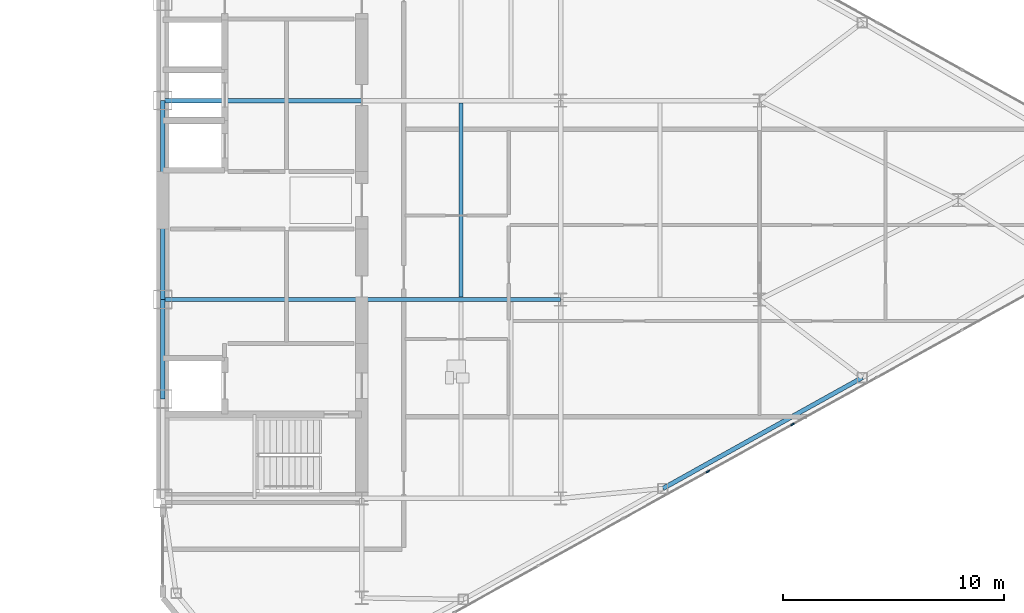
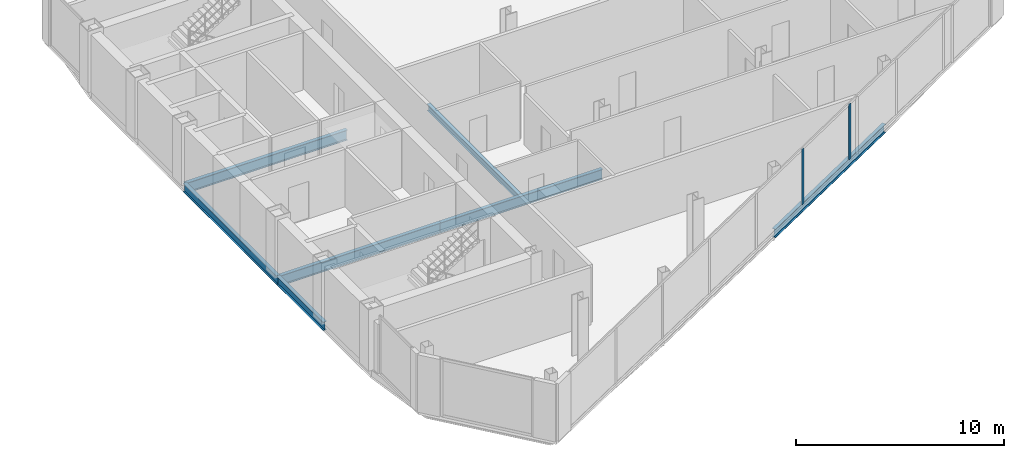
# One storey, part 13 of 25: 7 beams, 2 members, 1 element without a shape of its own.
"""IFC4 building model written with IfcOpenShell, lengths in metres."""

import ifcopenshell
import ifcopenshell.guid

model = None  # the IFC model being written
_history = None  # IfcOwnerHistory: only IFC2X3 demands one
_inside = {}  # id of a spatial element -> (the spatial element, [elements in it])
_under = {}  # id of a project, library or spatial element -> (it, [spatial elements below it])
_declared = {}  # id of a project -> (the project, [libraries it declares])
_typed = {}  # id of a type object -> (the type object, [elements of that type])
_made_of = {}  # id of a material, layer set ... -> (it, [elements and type objects made of it])


def new_model(schema):
    """Start an empty IFC model of exactly this schema.

    Asked for "IFC4X3", IfcOpenShell would pick the latest addendum, in which some entities
    have other attributes; the version numbers below select the first issue.
    IFC2X3 requires an IfcOwnerHistory on every rooted entity: one is made here for all.
    """
    global model, _history
    if schema == "IFC4X3":
        model = ifcopenshell.file(schema_version=(4, 3, 0, 0))
    else:
        model = ifcopenshell.file(schema=schema)
    _inside.clear()
    _under.clear()
    _declared.clear()
    _typed.clear()
    _made_of.clear()
    _history = None
    if model.schema == "IFC2X3":
        org = make("IfcOrganization", Name="unknown")
        user = make(
            "IfcPersonAndOrganization",
            ThePerson=make("IfcPerson", FamilyName="unknown"),
            TheOrganization=org,
        )
        app = make(
            "IfcApplication",
            ApplicationDeveloper=org,
            Version="unknown",
            ApplicationFullName="unknown",
            ApplicationIdentifier="unknown",
        )
        _history = make(
            "IfcOwnerHistory",
            OwningUser=user,
            OwningApplication=app,
            ChangeAction="ADDED",
            CreationDate=0,
        )
    return model


def make(cls, **values):
    """One entity of the class cls with the attributes given. An attribute that is None is left unset."""
    return model.create_entity(
        cls, **{name: value for name, value in values.items() if value is not None}
    )


def rooted(cls, **values):
    """An entity with a GlobalId (a new one), such as an element, a storey or a relation."""
    return make(cls, GlobalId=ifcopenshell.guid.new(), OwnerHistory=_history, **values)


def si_unit(unit_type, name, prefix=None):
    """IfcSIUnit, for example si_unit("LENGTHUNIT", "METRE", prefix="MILLI")."""
    return make("IfcSIUnit", UnitType=unit_type, Prefix=prefix, Name=name)


def assignment(units):
    """IfcUnitAssignment: the units of a project."""
    return None if units is None else make("IfcUnitAssignment", Units=units)


def point(xyz):
    """IfcCartesianPoint."""
    return None if xyz is None else make("IfcCartesianPoint", Coordinates=xyz)


def direction(xyz):
    """IfcDirection."""
    return None if xyz is None else make("IfcDirection", DirectionRatios=xyz)


def frame(location, z_axis=None, x_axis=None):
    """IfcAxis2Placement3D, a coordinate frame: its origin and axes. An axis left out is left unset."""
    return make(
        "IfcAxis2Placement3D",
        Location=point(location),
        Axis=direction(z_axis),
        RefDirection=direction(x_axis),
    )


def frame_2d(location, x_axis=None):
    """IfcAxis2Placement2D, a coordinate frame in the plane: its origin and x axis."""
    return make(
        "IfcAxis2Placement2D", Location=point(location), RefDirection=direction(x_axis)
    )


def origin():
    """The frame at (0, 0, 0) with its axes left unset."""
    return frame((0.0, 0.0, 0.0))


def origin_2d():
    """The frame at (0, 0) in the plane with its x axis left unset."""
    return frame_2d((0.0, 0.0))


def place(relative_to, where):
    """IfcLocalPlacement: puts the frame where relative to a parent placement (None: the world)."""
    return make(
        "IfcLocalPlacement", PlacementRelTo=relative_to, RelativePlacement=where
    )


def context(
    kind, dimensions, precision=None, world=None, true_north=None, identifier=None
):
    """IfcGeometricRepresentationContext, for example the 3D "Model" context."""
    return make(
        "IfcGeometricRepresentationContext",
        ContextIdentifier=identifier,
        ContextType=kind,
        CoordinateSpaceDimension=dimensions,
        Precision=precision,
        WorldCoordinateSystem=world,
        TrueNorth=true_north,
    )


def subcontext(parent, identifier, kind, view, scale=None):
    """IfcGeometricRepresentationSubContext, for example "Body" below "Model"."""
    return make(
        "IfcGeometricRepresentationSubContext",
        ContextIdentifier=identifier,
        ContextType=kind,
        ParentContext=parent,
        TargetScale=scale,
        TargetView=view,
    )


def project(units=None, contexts=None):
    """IfcProject with its units and contexts."""
    return rooted(
        "IfcProject",
        Name="project",
        RepresentationContexts=contexts,
        UnitsInContext=assignment(units),
    )


def spatial(cls, under=None, at=None, **own):
    """A site, building, storey or space (cls), placed at a placement, below another one or the project."""
    s = rooted(cls, ObjectPlacement=at, **own)
    if under is not None:
        _under.setdefault(under.id(), (under, []))[1].append(s)
    return s


def profile(cls, at=None, kind="AREA", **sizes):
    """A parametric profile (cls). Its sizes go by their IFC names, for example OverallWidth=200.0."""
    return make(cls, ProfileType=kind, Position=at, **sizes)


def rectangle(**sizes):
    """IfcRectangleProfileDef."""
    return profile("IfcRectangleProfileDef", **sizes)


def i_section(**sizes):
    """IfcIShapeProfileDef."""
    return profile("IfcIShapeProfileDef", **sizes)


def extrude(swept, where, along, depth):
    """IfcExtrudedAreaSolid: the profile swept, set in the frame where, extruded along a direction by depth."""
    return make(
        "IfcExtrudedAreaSolid",
        SweptArea=swept,
        Position=where,
        ExtrudedDirection=direction(along),
        Depth=depth,
    )


def shape(context_of_items, identifier, shape_type, items):
    """IfcShapeRepresentation: the items that make up one representation, for example the "Body"."""
    return make(
        "IfcShapeRepresentation",
        ContextOfItems=context_of_items,
        RepresentationIdentifier=identifier,
        RepresentationType=shape_type,
        Items=items,
    )


def source(mapping_origin, context_of_items, identifier, shape_type, items):
    """IfcRepresentationMap: a shape defined once, which mapped items show again and again."""
    return make(
        "IfcRepresentationMap",
        MappingOrigin=mapping_origin,
        MappedRepresentation=shape(context_of_items, identifier, shape_type, items),
    )


def transform(
    local_origin,
    x_axis=None,
    y_axis=None,
    z_axis=None,
    scale=None,
    scale2=None,
    scale3=None,
    uniform=True,
):
    """IfcCartesianTransformationOperator3D, or its non-uniform kind. x_axis, y_axis, z_axis: its Axis1, 2, 3."""
    if uniform:
        return make(
            "IfcCartesianTransformationOperator3D",
            Axis1=direction(x_axis),
            Axis2=direction(y_axis),
            LocalOrigin=point(local_origin),
            Scale=scale,
            Axis3=direction(z_axis),
        )
    return make(
        "IfcCartesianTransformationOperator3DnonUniform",
        Axis1=direction(x_axis),
        Axis2=direction(y_axis),
        LocalOrigin=point(local_origin),
        Scale=scale,
        Axis3=direction(z_axis),
        Scale2=scale2,
        Scale3=scale3,
    )


def mapped(mapping_source, mapping_target):
    """IfcMappedItem: shows the shape of a source again, moved by a transform."""
    return make(
        "IfcMappedItem", MappingSource=mapping_source, MappingTarget=mapping_target
    )


def material(Name=None, Category=None):
    """IfcMaterial."""
    return make("IfcMaterial", Name=Name, Category=Category)


def layer(
    of_material, thickness, ventilated=None, Name=None, Category=None, Priority=None
):
    """IfcMaterialLayer: one layer of a wall or slab, of a material (None: an air gap)."""
    return make(
        "IfcMaterialLayer",
        Material=of_material,
        LayerThickness=thickness,
        IsVentilated=ventilated,
        Name=Name,
        Category=Category,
        Priority=Priority,
    )


def layer_set(layers, Name=None):
    """IfcMaterialLayerSet."""
    return make("IfcMaterialLayerSet", MaterialLayers=layers, LayerSetName=Name)


def material_profile(
    of_material, cross_section, Name=None, Category=None, Priority=None
):
    """IfcMaterialProfile: a cross section and its material."""
    return make(
        "IfcMaterialProfile",
        Name=Name,
        Material=of_material,
        Profile=cross_section,
        Priority=Priority,
        Category=Category,
    )


def profile_set(profiles, Name=None, composite=None):
    """IfcMaterialProfileSet."""
    return make(
        "IfcMaterialProfileSet",
        Name=Name,
        MaterialProfiles=profiles,
        CompositeProfile=composite,
    )


def made_of(thing, what):
    """Note that an element or type object is made of a material, layer set ...; save() writes the relation."""
    if what is not None:
        _made_of.setdefault(what.id(), (what, []))[1].append(thing)
    return thing


def type_object(cls, material=None, **own):
    """A type object (cls), such as IfcWallType, which elements share."""
    return made_of(rooted(cls, **own), material)


def type_shapes(of_type, sources):
    """Give a type object the sources (RepresentationMaps) that its elements show as mapped items."""
    of_type.RepresentationMaps = sources


def element(
    cls,
    number,
    at=None,
    inside=None,
    cuts=None,
    type_object=None,
    material=None,
    context=None,
    identifier="Body",
    shape_type=None,
    held_by="IfcProductDefinitionShape",
    body=None,
    shapes=None,
    **own,
):
    """One element of the class cls, such as IfcWall. Its Tag is "e" and its number.

    at: its placement. inside: the storey or other place that contains it. cuts: it is an
    opening in that element (IfcRelVoidsElement). A single representation is given by context,
    identifier, shape_type and body (its items); several are given by shapes. held_by: the class
    of the entity that holds the representations. save() writes the other relations.
    """
    e = rooted(cls, Tag="e%d" % number, ObjectPlacement=at, **own)
    if body is not None:
        shapes = [shape(context, identifier, shape_type, body)]
    if shapes is not None:
        e.Representation = make(held_by, Representations=shapes)
    if inside is not None:
        _inside.setdefault(inside.id(), (inside, []))[1].append(e)
    if cuts is not None:
        rooted(
            "IfcRelVoidsElement", RelatingBuildingElement=cuts, RelatedOpeningElement=e
        )
    if type_object is not None:
        _typed.setdefault(type_object.id(), (type_object, []))[1].append(e)
    return made_of(e, material)


def aggregate(whole, parts):
    """IfcRelAggregates: a whole, such as a stair, and the parts it consists of."""
    return rooted("IfcRelAggregates", RelatingObject=whole, RelatedObjects=parts)


def save(model, path):
    """Write the relations noted so far, then the file.

    IfcRelAggregates (storeys below a building ...), IfcRelContainedInSpatialStructure (elements
    in a storey), IfcRelDefinesByType, IfcRelAssociatesMaterial and IfcRelDeclares: one each for
    every whole, place, type object, material and project.
    """
    for whole, parts in _under.values():
        aggregate(whole, parts)
    for where, things in _inside.values():
        rooted(
            "IfcRelContainedInSpatialStructure",
            RelatedElements=things,
            RelatingStructure=where,
        )
    for kind, things in _typed.values():
        rooted("IfcRelDefinesByType", RelatedObjects=things, RelatingType=kind)
    for what, things in _made_of.values():
        rooted("IfcRelAssociatesMaterial", RelatedObjects=things, RelatingMaterial=what)
    for by, libraries in _declared.values():
        rooted("IfcRelDeclares", RelatingContext=by, RelatedDefinitions=libraries)
    model.write(path)


model = new_model("IFC4")

# Units and contexts
model_context = context("Model", 3, precision=1e-05, world=origin(), true_north=direction((0.0, 1.0)))
body_context = subcontext(model_context, "Body", "Model", "MODEL_VIEW")
ifc_project = project(units=[si_unit("LENGTHUNIT", "METRE"), si_unit("AREAUNIT", "SQUARE_METRE"), si_unit("VOLUMEUNIT", "CUBIC_METRE"), si_unit("PLANEANGLEUNIT", "RADIAN"), si_unit("MASSUNIT", "GRAM", prefix="KILO")], contexts=[model_context])

# Site, building, storey
site_placement = place(None, origin())
site = spatial("IfcSite", under=ifc_project, at=site_placement, CompositionType="ELEMENT")
building_placement = place(site_placement, origin())
building = spatial("IfcBuilding", under=site, at=building_placement, Name="Seokmaru Belvedere", CompositionType="ELEMENT")
storey_placement = place(building_placement, frame((0.0, 0.0, 188.699951171875)))
storey = spatial("IfcBuildingStorey", under=building, at=storey_placement, Name="L50", CompositionType="ELEMENT", Elevation=188.699951171875)

# Beams
ifc_material_1 = material(Name="Steel SM355 (355 MPa)", Category="steel")
ifc_material_profile_1 = material_profile(ifc_material_1, i_section(OverallWidth=0.199951171875, OverallDepth=0.5, WebThickness=0.010009765625, FlangeThickness=0.01611328125, at=origin_2d()), Name="H-500x200x10x16")
ifc_profile_set_1 = profile_set([ifc_material_profile_1], Name="Steel SM355 (355 MPa)")
beam_type_1 = type_object("IfcBeamType", Name="Perimeter Spandrel Beam H-500", PredefinedType="SPANDREL", material=ifc_profile_set_1)
shared_shape_1 = source(origin(), body_context, "Body", "SweptSolid", [
    extrude(i_section(OverallWidth=0.199951171875, OverallDepth=0.5, WebThickness=0.010009765625, FlangeThickness=0.01611328125, at=origin_2d()), origin(), (0.0, 0.0, 1.0), 4.5),
])
beam_1_placement = place(storey_placement, frame((27.5, -9.0, -0.469970703125), z_axis=(0.0, 1.0, 0.0), x_axis=(-1.0, 0.0, 0.0)))
element("IfcBeam", 1, at=beam_1_placement, inside=storey, type_object=beam_type_1, Name="L50 E Portal Spine Spandrel 2", PredefinedType="SPANDREL", context=body_context, shape_type="MappedRepresentation", body=[
    mapped(shared_shape_1, transform((0.0, 0.0, 0.0), scale=1.0)),
])
shared_shape_2 = source(origin(), body_context, "Body", "SweptSolid", [
    extrude(i_section(OverallWidth=0.199951171875, OverallDepth=0.5, WebThickness=0.010009765625, FlangeThickness=0.01611328125, at=origin_2d()), origin(), (0.0, 0.0, 1.0), 9.0),
])
beam_2_placement = place(storey_placement, frame((27.5, -4.5, -0.469970703125), z_axis=(0.0, 1.0, 0.0), x_axis=(-1.0, 0.0, 0.0)))
element("IfcBeam", 2, at=beam_2_placement, inside=storey, type_object=beam_type_1, Name="L50 E Portal Spine Spandrel 3", PredefinedType="SPANDREL", context=body_context, shape_type="MappedRepresentation", body=[
    mapped(shared_shape_2, transform((0.0, 0.0, 0.0), scale=1.0)),
])
ifc_material_profile_2 = material_profile(ifc_material_1, i_section(OverallWidth=0.199951171875, OverallDepth=0.60009765625, WebThickness=0.010986328125, FlangeThickness=0.01708984375, at=origin_2d()), Name="H-600x200x11x17")
ifc_profile_set_2 = profile_set([ifc_material_profile_2], Name="Steel SM355 (355 MPa)")
beam_type_2 = type_object("IfcBeamType", Name="Primary Floor Girder H-600", PredefinedType="BEAM", material=ifc_profile_set_2)
shared_shape_3 = source(origin(), body_context, "Body", "SweptSolid", [
    extrude(i_section(OverallWidth=0.199951171875, OverallDepth=0.60009765625, WebThickness=0.010986328125, FlangeThickness=0.01708984375, at=origin_2d()), origin(), (0.0, 0.0, 1.0), 9.0),
])
type_shapes(beam_type_2, [shared_shape_3])
for number, where, z_axis, x_axis, name in (
    (3, (27.5, -4.5, -0.52001953125), (1.0, 0.0, 0.0), (0.0, 1.0, 0.0), "L50 E Core Tie Girder 2"),
    (4, (36.5, -4.5, -0.52001953125), (1.0, 0.0, 0.0), (0.0, 1.0, 0.0), "L50 E Wing Primary Girder 2"),
    (5, (27.5, 4.5, -0.52001953125), (1.0, 0.0, 0.0), (0.0, 1.0, 0.0), "L50 E Core Tie Girder 3"),
):
    element("IfcBeam", number, at=place(storey_placement, frame(where, z_axis=z_axis, x_axis=x_axis)), inside=storey, type_object=beam_type_2, Name=name, PredefinedType="BEAM", context=body_context, shape_type="MappedRepresentation", body=[
        mapped(shared_shape_3, transform((0.0, 0.0, 0.0), scale=1.0)),
    ])
ifc_material_profile_3 = material_profile(ifc_material_1, i_section(OverallWidth=0.18505859375, OverallDepth=0.389892578125, WebThickness=0.008056640625, FlangeThickness=0.011962890625, at=origin_2d()), Name="H-390x185x8x12")
ifc_profile_set_3 = profile_set([ifc_material_profile_3], Name="Steel SM355 (355 MPa)")
beam_type_3 = type_object("IfcBeamType", Name="Secondary Floor Joist H-350", PredefinedType="JOIST", material=ifc_profile_set_3)
shared_shape_4 = source(origin(), body_context, "Body", "SweptSolid", [
    extrude(i_section(OverallWidth=0.18505859375, OverallDepth=0.389892578125, WebThickness=0.008056640625, FlangeThickness=0.011962890625, at=origin_2d()), origin(), (0.0, 0.0, 1.0), 8.7900390625),
])
type_shapes(beam_type_3, [shared_shape_4])
beam_3_placement = place(storey_placement, frame((41.0, -4.39501953125, -0.4150390625), z_axis=(0.0, 1.0, 0.0), x_axis=(-1.0, 0.0, 0.0)))
element("IfcBeam", 6, at=beam_3_placement, inside=storey, type_object=beam_type_3, Name="L50 E Secondary Floor Joist 2", PredefinedType="JOIST", context=body_context, shape_type="MappedRepresentation", body=[
    mapped(shared_shape_4, transform((0.0, 0.0, 0.0), scale=1.0)),
])
shared_shape_5 = source(origin(), body_context, "Body", "SweptSolid", [
    extrude(i_section(OverallWidth=0.199951171875, OverallDepth=0.5, WebThickness=0.010009765625, FlangeThickness=0.01611328125, at=origin_2d()), origin(), (0.0, 0.0, 1.0), 10.327392578125),
])
type_shapes(beam_type_1, [shared_shape_1, shared_shape_2, shared_shape_5])
beam_4_placement = place(storey_placement, frame((50.129150390625, -13.051025390625, -0.469970703125), z_axis=(0.873934162361, 0.48604431882, 0.0), x_axis=(-0.48604431882, 0.873934162361, 0.0)))
element("IfcBeam", 7, at=beam_4_placement, inside=storey, type_object=beam_type_1, Name="L50 E Faceted Flank Spandrel S-3", PredefinedType="SPANDREL", context=body_context, shape_type="MappedRepresentation", body=[
    mapped(shared_shape_5, transform((0.0, 0.0, 0.0), scale=1.0)),
])

# Curtain wall, members
ifc_material_2 = material(Name="Bronze Triple Insulating Glass", Category="glass")
ifc_layer = layer(ifc_material_2, 0.179931640625)
ifc_layer_set = layer_set([ifc_layer], Name="Bronze Triple Insulating Glass")
curtain_wall_type = type_object("IfcCurtainWallType", Name="High-Rise Wind-Corner Curtain Wall System CW-5", PredefinedType="NOTDEFINED", material=ifc_layer_set)
curtain_wall_placement = place(storey_placement, origin())
curtain_wall = element("IfcCurtainWall", 8, at=curtain_wall_placement, inside=storey, type_object=curtain_wall_type, Name="L50 Curtain Wall EF1", PredefinedType="NOTDEFINED")
ifc_material_3 = material(Name="Anodised Bronze Aluminium", Category="aluminium")
ifc_material_profile_4 = material_profile(ifc_material_3, rectangle(XDim=0.06494140625, YDim=0.179931640625, at=origin_2d()), Name="CW-M-65x180")
ifc_profile_set_4 = profile_set([ifc_material_profile_4], Name="Anodised Bronze Aluminium")
member_type = type_object("IfcMemberType", Name="Bronze Unitised Mullion 65x180", PredefinedType="MULLION", material=ifc_profile_set_4)
shared_shape_6 = source(origin(), body_context, "Body", "SweptSolid", [
    extrude(rectangle(XDim=0.06494140625, YDim=0.179931640625, at=origin_2d()), origin(), (0.0, 0.0, 1.0), 3.25),
])
type_shapes(member_type, [shared_shape_6])
member_1_placement = place(storey_placement, frame((52.166015625, -12.2841796875, 0.06494140625), z_axis=(0.0, 0.0, 1.0), x_axis=(-0.486047125147, 0.873932601598, 0.0)))
member_1 = element("IfcMember", 9, at=member_1_placement, type_object=member_type, Name="CW:L50:EF1 Mullion 6", PredefinedType="MULLION", context=body_context, shape_type="MappedRepresentation", body=[
    mapped(shared_shape_6, transform((0.0, 0.0, 0.0), scale=1.0)),
])
member_2_placement = place(storey_placement, frame((55.998291015625, -10.153076171875, 0.06494140625), z_axis=(0.0, 0.0, 1.0), x_axis=(-0.486047125147, 0.873932601598, 0.0)))
member_2 = element("IfcMember", 10, at=member_2_placement, type_object=member_type, Name="CW:L50:EF1 Mullion 7", PredefinedType="MULLION", context=body_context, shape_type="MappedRepresentation", body=[
    mapped(shared_shape_6, transform((0.0, 0.0, 0.0), scale=1.0)),
])
aggregate(curtain_wall, [member_1, member_2])

save(model, "model.ifc")
